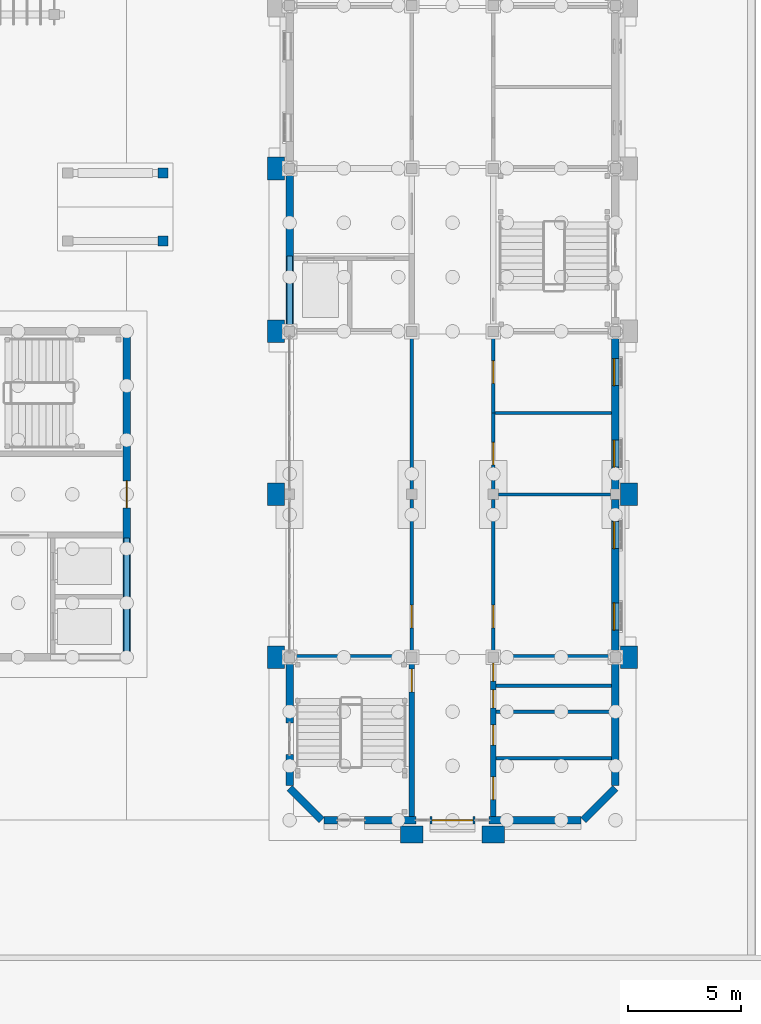
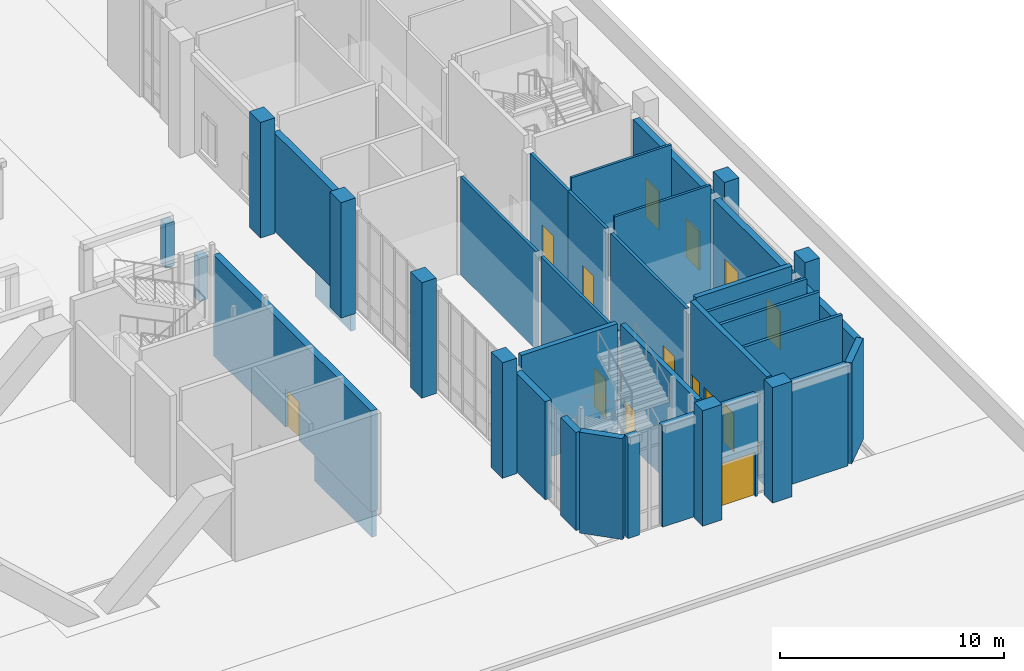
# One storey, part 42 of 84: 39 walls, 11 doors, 4 windows, 15 openings.
"""IFC4 building model written with IfcOpenShell, lengths in metres."""

from ifc_helpers import new_model, si_unit, direction, frame, frame_2d, origin, place, context, subcontext, project, spatial, rectangle, extrude, material, layer, layer_set, type_object, element, fill, save


model = new_model("IFC4")

# Units and contexts
model_context = context("Model", 3, precision=1e-05, world=origin(), true_north=direction((0.0, 1.0)))
body_context = subcontext(model_context, "Body", "Model", "MODEL_VIEW")
ifc_project = project(units=[si_unit("LENGTHUNIT", "METRE"), si_unit("AREAUNIT", "SQUARE_METRE"), si_unit("VOLUMEUNIT", "CUBIC_METRE"), si_unit("PLANEANGLEUNIT", "RADIAN"), si_unit("MASSUNIT", "GRAM", prefix="KILO")], contexts=[model_context])

# Site, building, storey
site_placement = place(None, origin())
site = spatial("IfcSite", under=ifc_project, at=site_placement, CompositionType="ELEMENT")
building_placement = place(site_placement, origin())
building = spatial("IfcBuilding", under=site, at=building_placement, Name="Mazhai Court Health Centre", CompositionType="ELEMENT")
storey_placement = place(building_placement, origin())
storey = spatial("IfcBuildingStorey", under=building, at=storey_placement, Name="L00", CompositionType="ELEMENT", Elevation=0.0)

# Walls
ifc_material_1 = material(Name="Clay brick masonry", Category="masonry")
ifc_layer_1 = layer(ifc_material_1, 0.449951171875)
ifc_layer_set_1 = layer_set([ifc_layer_1], Name="BRICK GARDEN PIER 450")
wall_type_1 = type_object("IfcWallType", Name="BRICK GARDEN PIER 450", PredefinedType="SOLIDWALL", material=ifc_layer_set_1)
for number, where, z_axis, x_axis, name in (
    (1, (129.97509765625, 31.800048828125, 0.0), (0.0, 0.0, 1.0), (1.0, 0.0, 0.0), "Shelter B pier 01"),
    (2, (129.97509765625, 34.800048828125, 0.0), (0.0, 0.0, 1.0), (1.0, 0.0, 0.0), "Shelter B pier 11"),
):
    element("IfcWall", number, at=place(storey_placement, frame(where, z_axis=z_axis, x_axis=x_axis)), inside=storey, type_object=wall_type_1, Name=name, PredefinedType="SOLIDWALL", context=body_context, shape_type="SweptSolid", body=[
        extrude(rectangle(XDim=0.449951171875, YDim=0.449951171875, at=frame_2d((0.22509765625, 0.0))), origin(), (0.0, 0.0, 1.0), 2.39990234375),
    ])
ifc_material_2 = material(Name="Clay brick masonry", Category="masonry")
ifc_layer_2 = layer(ifc_material_2, 0.75)
ifc_layer_set_2 = layer_set([ifc_layer_2], Name="BRICK PIER 750")
wall_type_2 = type_object("IfcWallType", Name="BRICK PIER 750", PredefinedType="SOLIDWALL", material=ifc_layer_set_2)
for number, where, z_axis, x_axis, name in (
    (3, (135.199951171875, 12.89990234375, 0.0), (0.0, 0.0, 1.0), (0.0, 1.0, 0.0), "EP-V6-L00-A1"),
    (4, (135.199951171875, 20.10009765625, 0.0), (0.0, 0.0, 1.0), (0.0, 1.0, 0.0), "EP-V6-L00-A2"),
    (5, (135.199951171875, 27.300048828125, 0.0), (0.0, 0.0, 1.0), (0.0, 1.0, 0.0), "EP-V6-L00-A3"),
    (6, (135.199951171875, 34.5, 0.0), (0.0, 0.0, 1.0), (0.0, 1.0, 0.0), "EP-V6-L00-A4"),
    (7, (150.800048828125, 13.89990234375, 0.0), (0.0, 0.0, 1.0), (0.0, -1.0, 0.0), "EP-V6-L00-B1"),
    (8, (150.800048828125, 21.10009765625, 0.0), (0.0, 0.0, 1.0), (0.0, -1.0, 0.0), "EP-V6-L00-B2"),
    (9, (141.699951171875, 5.574951171875, 0.0), (0.0, 0.0, 1.0), (-1.0, 0.0, 0.0), "EP-V6-L00-S54"),
    (10, (145.300048828125, 5.574951171875, 0.0), (0.0, 0.0, 1.0), (-1.0, 0.0, 0.0), "EP-V6-L00-S90"),
):
    element("IfcWall", number, at=place(storey_placement, frame(where, z_axis=z_axis, x_axis=x_axis)), inside=storey, type_object=wall_type_2, Name=name, PredefinedType="SOLIDWALL", context=body_context, shape_type="SweptSolid", body=[
        extrude(rectangle(XDim=1.0, YDim=0.75, at=frame_2d((0.5, 0.0))), origin(), (0.0, 0.0, 1.0), 6.300048828125),
    ])

# Wall, opening, door
ifc_material_3 = material(Name="Clay brick masonry", Category="masonry")
ifc_layer_3 = layer(ifc_material_3, 0.330078125)
ifc_layer_set_3 = layer_set([ifc_layer_3], Name="BRICK WALL 330 EXTERNAL")
wall_type_3 = type_object("IfcWallType", Name="BRICK WALL 330 EXTERNAL", PredefinedType="SOLIDWALL", material=ifc_layer_set_3)
wall_1_placement = place(storey_placement, frame((128.60009765625, 27.635009765625, 0.0), z_axis=(0.0, 0.0, 1.0), x_axis=(0.0, -1.0, 0.0)))
wall_1 = element("IfcWall", 11, at=wall_1_placement, inside=storey, type_object=wall_type_3, Name="EW-V4-L00-E7b", PredefinedType="SOLIDWALL", context=body_context, shape_type="SweptSolid", body=[
    extrude(rectangle(XDim=14.070068359375, YDim=0.330078125, at=frame_2d((7.03515625, 0.0))), origin(), (0.0, 0.0, 1.0), 5.5),
])
opening_1_placement = place(wall_1_placement, frame((6.43505859375, 0.0, 0.0)))
opening_1 = element("IfcOpeningElement", 12, at=opening_1_placement, cuts=wall_1, Name="Opening D-L00-078", PredefinedType="OPENING", context=body_context, shape_type="SweptSolid", body=[
    extrude(rectangle(XDim=1.199951171875, YDim=2.10009765625, at=frame_2d((0.60009765625, 1.050048828125))), frame((0.0, 0.175048828125, 0.0), z_axis=(0.0, -1.0, 0.0), x_axis=(1.0, 0.0, 0.0)), (0.0, 0.0, 1.0), 0.35009765625),
])
ifc_material_4 = material(Name="Teak timber door, glazed", Category="wood")
door_type_1 = type_object("IfcDoorType", Name="DOOR FIRE EXIT 1200x2100", OperationType="SINGLE_SWING_LEFT", PredefinedType="DOOR", material=ifc_material_4)
door_1_placement = place(opening_1_placement, origin())
door_1 = element("IfcDoor", 13, at=door_1_placement, inside=storey, type_object=door_type_1, Name="L00-E07", OperationType="SINGLE_SWING_LEFT", OverallHeight=2.10009765625, OverallWidth=1.199951171875, PredefinedType="DOOR", context=body_context, shape_type="SweptSolid", body=[
    extrude(rectangle(XDim=1.199951171875, YDim=2.10009765625, at=frame_2d((0.60009765625, 1.050048828125))), frame((0.0, 0.02490234375, 0.0), z_axis=(0.0, -1.0, 0.0), x_axis=(1.0, 0.0, 0.0)), (0.0, 0.0, 1.0), 0.050048828125),
])
fill(opening_1, door_1)

# Walls
wall_2_placement = place(storey_placement, frame((135.800048828125, 7.73095703125, 0.0), z_axis=(0.0, 0.0, 1.0), x_axis=(0.0, 1.0, 0.0)))
element("IfcWall", 14, at=wall_2_placement, inside=storey, type_object=wall_type_3, Name="EW-V6-L00-A0a", PredefinedType="SOLIDWALL", context=body_context, shape_type="SweptSolid", body=[
    extrude(rectangle(XDim=1.369140625, YDim=0.330078125, at=frame_2d((0.6845703125, 0.0))), origin(), (0.0, 0.0, 1.0), 5.35009765625),
])
wall_3_placement = place(storey_placement, frame((135.800048828125, 10.5, 0.0), z_axis=(0.0, 0.0, 1.0), x_axis=(0.0, 1.0, 0.0)))
element("IfcWall", 15, at=wall_3_placement, inside=storey, type_object=wall_type_3, Name="EW-V6-L00-A0b", PredefinedType="SOLIDWALL", context=body_context, shape_type="SweptSolid", body=[
    extrude(rectangle(XDim=2.675048828125, YDim=0.330078125, at=frame_2d((1.33740234375, 0.0))), origin(), (0.0, 0.0, 1.0), 5.35009765625),
])
wall_4_placement = place(storey_placement, frame((135.800048828125, 28.02490234375, 0.0), z_axis=(0.0, 0.0, 1.0), x_axis=(0.0, 1.0, 0.0)))
element("IfcWall", 16, at=wall_4_placement, inside=storey, type_object=wall_type_3, Name="EW-V6-L00-A3", PredefinedType="SOLIDWALL", context=body_context, shape_type="SweptSolid", body=[
    extrude(rectangle(XDim=6.75, YDim=0.330078125, at=frame_2d((3.375, 0.0))), origin(), (0.0, 0.0, 1.0), 5.35009765625),
])
wall_5_placement = place(storey_placement, frame((150.199951171875, 13.175048828125, 0.0), z_axis=(0.0, 0.0, 1.0), x_axis=(0.0, -1.0, 0.0)))
element("IfcWall", 17, at=wall_5_placement, inside=storey, type_object=wall_type_3, Name="EW-V6-L00-B0", PredefinedType="SOLIDWALL", context=body_context, shape_type="SweptSolid", body=[
    extrude(rectangle(XDim=5.444091796875, YDim=0.330078125, at=frame_2d((2.72216796875, 0.0))), origin(), (0.0, 0.0, 1.0), 5.35009765625),
])

# Wall, openings, windows
wall_6_placement = place(storey_placement, frame((150.199951171875, 20.375, 0.0), z_axis=(0.0, 0.0, 1.0), x_axis=(0.0, -1.0, 0.0)))
wall_6 = element("IfcWall", 18, at=wall_6_placement, inside=storey, type_object=wall_type_3, Name="EW-V6-L00-B1p0", PredefinedType="SOLIDWALL", context=body_context, shape_type="SweptSolid", body=[
    extrude(rectangle(XDim=6.75, YDim=0.330078125, at=frame_2d((3.375, 0.0))), origin(), (0.0, 0.0, 1.0), 5.35009765625),
])
opening_2_placement = place(wall_6_placement, frame((4.574951171875, 0.0, 0.60009765625)))
opening_2 = element("IfcOpeningElement", 19, at=opening_2_placement, cuts=wall_6, Name="Opening W1", PredefinedType="OPENING", context=body_context, shape_type="SweptSolid", body=[
    extrude(rectangle(XDim=1.199951171875, YDim=2.10009765625, at=frame_2d((0.60009765625, 1.050048828125))), frame((0.0, 0.175048828125, 0.0), z_axis=(0.0, -1.0, 0.0), x_axis=(1.0, 0.0, 0.0)), (0.0, 0.0, 1.0), 0.35009765625),
])
opening_3_placement = place(wall_6_placement, frame((0.97509765625, 0.0, 0.60009765625)))
opening_3 = element("IfcOpeningElement", 20, at=opening_3_placement, cuts=wall_6, Name="Opening W1", PredefinedType="OPENING", context=body_context, shape_type="SweptSolid", body=[
    extrude(rectangle(XDim=1.199951171875, YDim=2.10009765625, at=frame_2d((0.60009765625, 1.050048828125))), frame((0.0, 0.175048828125, 0.0), z_axis=(0.0, -1.0, 0.0), x_axis=(1.0, 0.0, 0.0)), (0.0, 0.0, 1.0), 0.35009765625),
])
ifc_material_5 = material(Name="Teak timber frame, glazed", Category="wood")
window_type = type_object("IfcWindowType", Name="WINDOW CONSULTING 1200x2100", PartitioningType="SINGLE_PANEL", PredefinedType="WINDOW", material=ifc_material_5)
window_1_placement = place(opening_2_placement, origin())
window_1 = element("IfcWindow", 21, at=window_1_placement, inside=storey, type_object=window_type, Name="W1 WN-V6-L00-B10", OverallHeight=2.10009765625, OverallWidth=1.199951171875, PartitioningType="SINGLE_PANEL", PredefinedType="WINDOW", context=body_context, shape_type="SweptSolid", body=[
    extrude(rectangle(XDim=1.199951171875, YDim=2.10009765625, at=frame_2d((0.60009765625, 1.050048828125))), frame((0.0, -0.030029296875, 0.0), z_axis=(0.0, -1.0, 0.0), x_axis=(1.0, 0.0, 0.0)), (0.0, 0.0, 1.0), 0.06005859375),
])
fill(opening_2, window_1)
window_2_placement = place(opening_3_placement, origin())
window_2 = element("IfcWindow", 22, at=window_2_placement, inside=storey, type_object=window_type, Name="W1 WN-V6-L00-B11", OverallHeight=2.10009765625, OverallWidth=1.199951171875, PartitioningType="SINGLE_PANEL", PredefinedType="WINDOW", context=body_context, shape_type="SweptSolid", body=[
    extrude(rectangle(XDim=1.199951171875, YDim=2.10009765625, at=frame_2d((0.60009765625, 1.050048828125))), frame((0.0, -0.030029296875, 0.0), z_axis=(0.0, -1.0, 0.0), x_axis=(1.0, 0.0, 0.0)), (0.0, 0.0, 1.0), 0.06005859375),
])
fill(opening_3, window_2)

wall_7_placement = place(storey_placement, frame((150.199951171875, 27.574951171875, 0.0), z_axis=(0.0, 0.0, 1.0), x_axis=(0.0, -1.0, 0.0)))
wall_7 = element("IfcWall", 23, at=wall_7_placement, inside=storey, type_object=wall_type_3, Name="EW-V6-L00-B2p0", PredefinedType="SOLIDWALL", context=body_context, shape_type="SweptSolid", body=[
    extrude(rectangle(XDim=6.75, YDim=0.330078125, at=frame_2d((3.375, 0.0))), origin(), (0.0, 0.0, 1.0), 5.35009765625),
])
opening_4_placement = place(wall_7_placement, frame((4.574951171875, 0.0, 0.60009765625)))
opening_4 = element("IfcOpeningElement", 24, at=opening_4_placement, cuts=wall_7, Name="Opening W1", PredefinedType="OPENING", context=body_context, shape_type="SweptSolid", body=[
    extrude(rectangle(XDim=1.199951171875, YDim=2.10009765625, at=frame_2d((0.60009765625, 1.050048828125))), frame((0.0, 0.175048828125, 0.0), z_axis=(0.0, -1.0, 0.0), x_axis=(1.0, 0.0, 0.0)), (0.0, 0.0, 1.0), 0.35009765625),
])
opening_5_placement = place(wall_7_placement, frame((0.97509765625, 0.0, 0.60009765625)))
opening_5 = element("IfcOpeningElement", 25, at=opening_5_placement, cuts=wall_7, Name="Opening W1", PredefinedType="OPENING", context=body_context, shape_type="SweptSolid", body=[
    extrude(rectangle(XDim=1.199951171875, YDim=2.10009765625, at=frame_2d((0.60009765625, 1.050048828125))), frame((0.0, 0.175048828125, 0.0), z_axis=(0.0, -1.0, 0.0), x_axis=(1.0, 0.0, 0.0)), (0.0, 0.0, 1.0), 0.35009765625),
])
window_3_placement = place(opening_4_placement, origin())
window_3 = element("IfcWindow", 26, at=window_3_placement, inside=storey, type_object=window_type, Name="W1 WN-V6-L00-B20", OverallHeight=2.10009765625, OverallWidth=1.199951171875, PartitioningType="SINGLE_PANEL", PredefinedType="WINDOW", context=body_context, shape_type="SweptSolid", body=[
    extrude(rectangle(XDim=1.199951171875, YDim=2.10009765625, at=frame_2d((0.60009765625, 1.050048828125))), frame((0.0, -0.030029296875, 0.0), z_axis=(0.0, -1.0, 0.0), x_axis=(1.0, 0.0, 0.0)), (0.0, 0.0, 1.0), 0.06005859375),
])
fill(opening_4, window_3)
window_4_placement = place(opening_5_placement, origin())
window_4 = element("IfcWindow", 27, at=window_4_placement, inside=storey, type_object=window_type, Name="W1 WN-V6-L00-B21", OverallHeight=2.10009765625, OverallWidth=1.199951171875, PartitioningType="SINGLE_PANEL", PredefinedType="WINDOW", context=body_context, shape_type="SweptSolid", body=[
    extrude(rectangle(XDim=1.199951171875, YDim=2.10009765625, at=frame_2d((0.60009765625, 1.050048828125))), frame((0.0, -0.030029296875, 0.0), z_axis=(0.0, -1.0, 0.0), x_axis=(1.0, 0.0, 0.0)), (0.0, 0.0, 1.0), 0.06005859375),
])
fill(opening_5, window_4)

# Walls
wall_8_placement = place(storey_placement, frame((137.919921875, 6.199951171875, 0.0), z_axis=(0.0, 0.0, 1.0), x_axis=(-1.0, 0.0, 0.0)))
element("IfcWall", 28, at=wall_8_placement, inside=storey, type_object=wall_type_3, Name="EW-V6-L00-Sp0", PredefinedType="SOLIDWALL", context=body_context, shape_type="SweptSolid", body=[
    extrude(rectangle(XDim=0.5888671875, YDim=0.330078125, at=frame_2d((0.29443359375, 0.0))), origin(), (0.0, 0.0, 1.0), 5.5),
])
wall_9_placement = place(storey_placement, frame((141.3798828125, 6.199951171875, 0.0), z_axis=(0.0, 0.0, 1.0), x_axis=(-1.0, 0.0, 0.0)))
element("IfcWall", 29, at=wall_9_placement, inside=storey, type_object=wall_type_3, Name="EW-V6-L00-Sp1", PredefinedType="SOLIDWALL", context=body_context, shape_type="SweptSolid", body=[
    extrude(rectangle(XDim=2.259765625, YDim=0.330078125, at=frame_2d((1.1298828125, 0.0))), origin(), (0.0, 0.0, 1.0), 5.5),
])

# Wall, opening, door
wall_10_placement = place(storey_placement, frame((144.0, 6.199951171875, 0.0), z_axis=(0.0, 0.0, 1.0), x_axis=(-1.0, 0.0, 0.0)))
wall_10 = element("IfcWall", 30, at=wall_10_placement, inside=storey, type_object=wall_type_3, Name="EW-V6-L00-Sp2", PredefinedType="SOLIDWALL", context=body_context, shape_type="SweptSolid", body=[
    extrude(rectangle(XDim=2.0, YDim=0.330078125, at=frame_2d((1.0, 0.0))), origin(), (0.0, 0.0, 1.0), 5.5),
])
opening_6_placement = place(wall_10_placement, frame((0.10009765625, 0.0, 0.0)))
opening_6 = element("IfcOpeningElement", 31, at=opening_6_placement, cuts=wall_10, Name="Opening D-L00-088", PredefinedType="OPENING", context=body_context, shape_type="SweptSolid", body=[
    extrude(rectangle(XDim=1.800048828125, YDim=2.39990234375, at=frame_2d((0.89990234375, 1.199951171875))), frame((0.0, 0.175048828125, 0.0), z_axis=(0.0, -1.0, 0.0), x_axis=(1.0, 0.0, 0.0)), (0.0, 0.0, 1.0), 0.35009765625),
])
ifc_material_6 = material(Name="Teak timber door, glazed", Category="wood")
door_type_2 = type_object("IfcDoorType", Name="DOOR ENTRANCE DOUBLE 1800x2400", OperationType="DOUBLE_DOOR_SINGLE_SWING", PredefinedType="DOOR", material=ifc_material_6)
door_2_placement = place(opening_6_placement, origin())
door_2 = element("IfcDoor", 32, at=door_2_placement, inside=storey, type_object=door_type_2, Name="L00-E09", OperationType="DOUBLE_DOOR_SINGLE_SWING", OverallHeight=2.39990234375, OverallWidth=1.800048828125, PredefinedType="DOOR", context=body_context, shape_type="SweptSolid", body=[
    extrude(rectangle(XDim=1.800048828125, YDim=2.39990234375, at=frame_2d((0.89990234375, 1.199951171875))), frame((0.0, 0.02490234375, 0.0), z_axis=(0.0, -1.0, 0.0), x_axis=(1.0, 0.0, 0.0)), (0.0, 0.0, 1.0), 0.050048828125),
])
fill(opening_6, door_2)

# Walls
wall_11_placement = place(storey_placement, frame((148.6689453125, 6.199951171875, 0.0), z_axis=(0.0, 0.0, 1.0), x_axis=(-1.0, 0.0, 0.0)))
element("IfcWall", 33, at=wall_11_placement, inside=storey, type_object=wall_type_3, Name="EW-V6-L00-Sp3", PredefinedType="SOLIDWALL", context=body_context, shape_type="SweptSolid", body=[
    extrude(rectangle(XDim=4.048828125, YDim=0.330078125, at=frame_2d((2.0244140625, 0.0))), origin(), (0.0, 0.0, 1.0), 5.5),
])
for number, where, z_axis, x_axis, name in (
    (34, (135.800048828125, 7.614013671875, 0.0), (0.0, 0.0, 1.0), (0.707106781187, -0.707106781187, 0.0), "EW-V6-L00-CHA"),
    (35, (150.199951171875, 7.614013671875, 0.0), (0.0, 0.0, 1.0), (-0.707106781187, -0.707106781187, 0.0), "EW-V6-L00-CHB"),
):
    element("IfcWall", number, at=place(storey_placement, frame(where, z_axis=z_axis, x_axis=x_axis)), inside=storey, type_object=wall_type_3, Name=name, PredefinedType="SOLIDWALL", context=body_context, shape_type="SweptSolid", body=[
        extrude(rectangle(XDim=1.999755859375, YDim=0.330078125, at=frame_2d((1.0, 0.0))), origin(), (0.0, 0.0, 1.0), 5.5),
    ])
ifc_material_7 = material(Name="Gypsum plasterboard partition")
ifc_layer_4 = layer(ifc_material_7, 0.125)
ifc_layer_set_4 = layer_set([ifc_layer_4], Name="PARTITION 125 STUD EI30")
wall_type_4 = type_object("IfcWallType", Name="PARTITION 125 STUD EI30", PredefinedType="PARTITIONING", material=ifc_layer_set_4)
wall_12_placement = place(storey_placement, frame((149.97509765625, 20.60009765625, 0.0), z_axis=(0.0, 0.0, 1.0), x_axis=(-1.0, 0.0, 0.0)))
element("IfcWall", 36, at=wall_12_placement, inside=storey, type_object=wall_type_4, Name="wall-V6-L00-B0-cross-1a", PredefinedType="PARTITIONING", context=body_context, shape_type="SweptSolid", body=[
    extrude(rectangle(XDim=4.9501953125, YDim=0.125, at=frame_2d((2.47509765625, 0.0))), origin(), (0.0, 0.0, 1.0), 6.050048828125),
])
wall_13_placement = place(storey_placement, frame((150.034912109375, 24.199951171875, 0.0), z_axis=(0.0, 0.0, 1.0), x_axis=(-1.0, 0.0, 0.0)))
element("IfcWall", 37, at=wall_13_placement, inside=storey, type_object=wall_type_4, Name="wall-V6-L00-B0-cross-2a", PredefinedType="PARTITIONING", context=body_context, shape_type="SweptSolid", body=[
    extrude(rectangle(XDim=5.159912109375, YDim=0.125, at=frame_2d((2.580078125, 0.0))), origin(), (0.0, 0.0, 1.0), 6.050048828125),
])

# Wall, opening, door
ifc_material_8 = material(Name="Gypsum plasterboard partition")
ifc_layer_5 = layer(ifc_material_8, 0.14990234375)
ifc_layer_set_5 = layer_set([ifc_layer_5], Name="PARTITION 150 CORRIDOR EI60")
wall_type_5 = type_object("IfcWallType", Name="PARTITION 150 CORRIDOR EI60", PredefinedType="PARTITIONING", material=ifc_layer_set_5)
wall_14_placement = place(storey_placement, frame((141.199951171875, 13.625, 0.0), z_axis=(0.0, 0.0, 1.0), x_axis=(0.0, 1.0, 0.0)))
wall_14 = element("IfcWall", 38, at=wall_14_placement, inside=storey, type_object=wall_type_5, Name="wall-V6-L00-A0-corr-0a", PredefinedType="PARTITIONING", context=body_context, shape_type="SweptSolid", body=[
    extrude(rectangle(XDim=6.75, YDim=0.14990234375, at=frame_2d((3.375, 0.0))), origin(), (0.0, 0.0, 1.0), 5.35009765625),
])
opening_7_placement = place(wall_14_placement, frame((1.074951171875, 0.0, 0.0)))
opening_7 = element("IfcOpeningElement", 39, at=opening_7_placement, cuts=wall_14, Name="Opening D-L00-081", PredefinedType="OPENING", context=body_context, shape_type="SweptSolid", body=[
    extrude(rectangle(XDim=1.0, YDim=2.10009765625, at=frame_2d((0.5, 1.050048828125))), frame((0.0, 0.0849609375, 0.0), z_axis=(0.0, -1.0, 0.0), x_axis=(1.0, 0.0, 0.0)), (0.0, 0.0, 1.0), 0.169921875),
])
ifc_material_9 = material(Name="Hardwood door leaf", Category="wood")
door_type_3 = type_object("IfcDoorType", Name="DOOR 1000x2100 FD30S SINGLE", OperationType="NOTDEFINED", PredefinedType="DOOR", material=ifc_material_9)
door_3_placement = place(opening_7_placement, origin())
door_3 = element("IfcDoor", 40, at=door_3_placement, inside=storey, type_object=door_type_3, Name="door-V6-L00-A0-health-education-hall", OperationType="SINGLE_SWING_LEFT", OverallHeight=2.10009765625, OverallWidth=1.0, PredefinedType="DOOR", context=body_context, shape_type="SweptSolid", body=[
    extrude(rectangle(XDim=1.0, YDim=2.10009765625, at=frame_2d((0.5, 1.050048828125))), frame((0.0, 0.02490234375, 0.0), z_axis=(0.0, -1.0, 0.0), x_axis=(1.0, 0.0, 0.0)), (0.0, 0.0, 1.0), 0.050048828125),
])
fill(opening_7, door_3)

# Wall
wall_15_placement = place(storey_placement, frame((141.199951171875, 20.824951171875, 0.0), z_axis=(0.0, 0.0, 1.0), x_axis=(0.0, 1.0, 0.0)))
element("IfcWall", 41, at=wall_15_placement, inside=storey, type_object=wall_type_5, Name="wall-V6-L00-A0-corr-0b", PredefinedType="PARTITIONING", context=body_context, shape_type="SweptSolid", body=[
    extrude(rectangle(XDim=6.75, YDim=0.14990234375, at=frame_2d((3.375, 0.0))), origin(), (0.0, 0.0, 1.0), 5.35009765625),
])

# Wall, opening, door
wall_16_placement = place(storey_placement, frame((144.800048828125, 20.375, 0.0), z_axis=(0.0, 0.0, 1.0), x_axis=(0.0, -1.0, 0.0)))
wall_16 = element("IfcWall", 42, at=wall_16_placement, inside=storey, type_object=wall_type_5, Name="wall-V6-L00-B0-corr-0a", PredefinedType="PARTITIONING", context=body_context, shape_type="SweptSolid", body=[
    extrude(rectangle(XDim=6.75, YDim=0.14990234375, at=frame_2d((3.375, 0.0))), origin(), (0.0, 0.0, 1.0), 5.35009765625),
])
opening_8_placement = place(wall_16_placement, frame((4.675048828125, 0.0, 0.0)))
opening_8 = element("IfcOpeningElement", 43, at=opening_8_placement, cuts=wall_16, Name="Opening D-L00-094", PredefinedType="OPENING", context=body_context, shape_type="SweptSolid", body=[
    extrude(rectangle(XDim=1.0, YDim=2.10009765625, at=frame_2d((0.5, 1.050048828125))), frame((0.0, 0.0849609375, 0.0), z_axis=(0.0, -1.0, 0.0), x_axis=(1.0, 0.0, 0.0)), (0.0, 0.0, 1.0), 0.169921875),
])
door_4_placement = place(opening_8_placement, origin())
door_4 = element("IfcDoor", 44, at=door_4_placement, inside=storey, type_object=door_type_3, Name="door-V6-L00-B0-cafe", OperationType="SINGLE_SWING_RIGHT", OverallHeight=2.10009765625, OverallWidth=1.0, PredefinedType="DOOR", context=body_context, shape_type="SweptSolid", body=[
    extrude(rectangle(XDim=1.0, YDim=2.10009765625, at=frame_2d((0.5, 1.050048828125))), frame((0.0, 0.02490234375, 0.0), z_axis=(0.0, -1.0, 0.0), x_axis=(1.0, 0.0, 0.0)), (0.0, 0.0, 1.0), 0.050048828125),
])
fill(opening_8, door_4)

wall_17_placement = place(storey_placement, frame((144.800048828125, 24.199951171875, 0.0), z_axis=(0.0, 0.0, 1.0), x_axis=(0.0, -1.0, 0.0)))
wall_17 = element("IfcWall", 45, at=wall_17_placement, inside=storey, type_object=wall_type_5, Name="wall-V6-L00-B0-corr-1a", PredefinedType="PARTITIONING", context=body_context, shape_type="SweptSolid", body=[
    extrude(rectangle(XDim=3.375, YDim=0.14990234375, at=frame_2d((1.6875, 0.0))), origin(), (0.0, 0.0, 1.0), 5.35009765625),
])
opening_9_placement = place(wall_17_placement, frame((1.300048828125, 0.0, 0.0)))
opening_9 = element("IfcOpeningElement", 46, at=opening_9_placement, cuts=wall_17, Name="Opening D-L00-095", PredefinedType="OPENING", context=body_context, shape_type="SweptSolid", body=[
    extrude(rectangle(XDim=1.0, YDim=2.10009765625, at=frame_2d((0.5, 1.050048828125))), frame((0.0, 0.0849609375, 0.0), z_axis=(0.0, -1.0, 0.0), x_axis=(1.0, 0.0, 0.0)), (0.0, 0.0, 1.0), 0.169921875),
])
door_5_placement = place(opening_9_placement, origin())
door_5 = element("IfcDoor", 47, at=door_5_placement, inside=storey, type_object=door_type_3, Name="door-V6-L00-B0-cafe-kitchen", OperationType="SINGLE_SWING_RIGHT", OverallHeight=2.10009765625, OverallWidth=1.0, PredefinedType="DOOR", context=body_context, shape_type="SweptSolid", body=[
    extrude(rectangle(XDim=1.0, YDim=2.10009765625, at=frame_2d((0.5, 1.050048828125))), frame((0.0, 0.02490234375, 0.0), z_axis=(0.0, -1.0, 0.0), x_axis=(1.0, 0.0, 0.0)), (0.0, 0.0, 1.0), 0.050048828125),
])
fill(opening_9, door_5)

wall_18_placement = place(storey_placement, frame((144.800048828125, 27.574951171875, 0.0), z_axis=(0.0, 0.0, 1.0), x_axis=(0.0, -1.0, 0.0)))
wall_18 = element("IfcWall", 48, at=wall_18_placement, inside=storey, type_object=wall_type_5, Name="wall-V6-L00-B0-corr-2a", PredefinedType="PARTITIONING", context=body_context, shape_type="SweptSolid", body=[
    extrude(rectangle(XDim=3.375, YDim=0.14990234375, at=frame_2d((1.6875, 0.0))), origin(), (0.0, 0.0, 1.0), 5.35009765625),
])
opening_10_placement = place(wall_18_placement, frame((1.074951171875, 0.0, 0.0)))
opening_10 = element("IfcOpeningElement", 49, at=opening_10_placement, cuts=wall_18, Name="Opening D-L00-096", PredefinedType="OPENING", context=body_context, shape_type="SweptSolid", body=[
    extrude(rectangle(XDim=1.0, YDim=2.10009765625, at=frame_2d((0.5, 1.050048828125))), frame((0.0, 0.0849609375, 0.0), z_axis=(0.0, -1.0, 0.0), x_axis=(1.0, 0.0, 0.0)), (0.0, 0.0, 1.0), 0.169921875),
])
door_6_placement = place(opening_10_placement, origin())
door_6 = element("IfcDoor", 50, at=door_6_placement, inside=storey, type_object=door_type_3, Name="door-V6-L00-B0-health-shop", OperationType="SINGLE_SWING_LEFT", OverallHeight=2.10009765625, OverallWidth=1.0, PredefinedType="DOOR", context=body_context, shape_type="SweptSolid", body=[
    extrude(rectangle(XDim=1.0, YDim=2.10009765625, at=frame_2d((0.5, 1.050048828125))), frame((0.0, 0.02490234375, 0.0), z_axis=(0.0, -1.0, 0.0), x_axis=(1.0, 0.0, 0.0)), (0.0, 0.0, 1.0), 0.050048828125),
])
fill(opening_10, door_6)

# Wall
ifc_material_10 = material(Name="Concrete M40", Category="concrete")
ifc_layer_6 = layer(ifc_material_10, 0.25)
ifc_layer_set_6 = layer_set([ifc_layer_6], Name="RC CORE WALL 250 M40")
wall_type_6 = type_object("IfcWallType", Name="RC CORE WALL 250 M40", PredefinedType="SHEAR", material=ifc_layer_set_6)
wall_19_placement = place(storey_placement, frame((128.60009765625, 13.56494140625, -1.39990234375), z_axis=(0.0, 0.0, 1.0), x_axis=(0.0, 1.0, 0.0)))
element("IfcWall", 51, at=wall_19_placement, inside=storey, type_object=wall_type_6, Name="core-C7-w-pit-end", PredefinedType="SHEAR", context=body_context, shape_type="SweptSolid", body=[
    extrude(rectangle(XDim=5.110107421875, YDim=0.25, at=frame_2d((2.55517578125, 0.0))), origin(), (0.0, 0.0, 1.0), 1.39990234375),
])

# Wall, opening, door
wall_20_placement = place(storey_placement, frame((141.199951171875, 6.364990234375, 0.0), z_axis=(0.0, 0.0, 1.0), x_axis=(0.0, 1.0, 0.0)))
wall_20 = element("IfcWall", 52, at=wall_20_placement, inside=storey, type_object=wall_type_6, Name="core-C8-w-stair-corr-L00", PredefinedType="SHEAR", context=body_context, shape_type="SweptSolid", body=[
    extrude(rectangle(XDim=6.81005859375, YDim=0.25, at=frame_2d((3.405029296875, 0.0))), origin(), (0.0, 0.0, 1.0), 6.050048828125),
])
opening_11_placement = place(wall_20_placement, frame((5.510009765625, 0.0, 0.0)))
opening_11 = element("IfcOpeningElement", 53, at=opening_11_placement, cuts=wall_20, Name="Opening D-L00-080", PredefinedType="OPENING", context=body_context, shape_type="SweptSolid", body=[
    extrude(rectangle(XDim=1.0, YDim=2.10009765625, at=frame_2d((0.5, 1.050048828125))), frame((0.0, 0.135009765625, 0.0), z_axis=(0.0, -1.0, 0.0), x_axis=(1.0, 0.0, 0.0)), (0.0, 0.0, 1.0), 0.27001953125),
])
ifc_material_11 = material(Name="Steel fire door leaf", Category="steel")
door_type_4 = type_object("IfcDoorType", Name="FD120S STAIR DOOR 1000x2100", OperationType="SINGLE_SWING_LEFT", PredefinedType="DOOR", material=ifc_material_11)
door_7_placement = place(opening_11_placement, origin())
door_7 = element("IfcDoor", 54, at=door_7_placement, inside=storey, type_object=door_type_4, Name="Stair 8 door L00", OperationType="SINGLE_SWING_RIGHT", OverallHeight=2.10009765625, OverallWidth=1.0, PredefinedType="DOOR", context=body_context, shape_type="SweptSolid", body=[
    extrude(rectangle(XDim=1.0, YDim=2.10009765625, at=frame_2d((0.5, 1.050048828125))), frame((0.0, 0.02490234375, 0.0), z_axis=(0.0, -1.0, 0.0), x_axis=(1.0, 0.0, 0.0)), (0.0, 0.0, 1.0), 0.050048828125),
])
fill(opening_11, door_7)

# Wall
wall_21_placement = place(storey_placement, frame((136.02490234375, 13.39990234375, 0.0), z_axis=(0.0, 0.0, 1.0), x_axis=(1.0, 0.0, 0.0)))
element("IfcWall", 55, at=wall_21_placement, inside=storey, type_object=wall_type_6, Name="core-C8-w-stair-line0-L00", PredefinedType="SHEAR", context=body_context, shape_type="SweptSolid", body=[
    extrude(rectangle(XDim=4.9501953125, YDim=0.25, at=frame_2d((2.47509765625, 0.0))), origin(), (0.0, 0.0, 1.0), 6.050048828125),
])

# Wall, openings, doors
wall_22_placement = place(storey_placement, frame((144.800048828125, 6.364990234375, 0.0), z_axis=(0.0, 0.0, 1.0), x_axis=(0.0, 1.0, 0.0)))
wall_22 = element("IfcWall", 56, at=wall_22_placement, inside=storey, type_object=wall_type_6, Name="core-C8-w-other-corr-L00", PredefinedType="SHEAR", context=body_context, shape_type="SweptSolid", body=[
    extrude(rectangle(XDim=6.81005859375, YDim=0.25, at=frame_2d((3.405029296875, 0.0))), origin(), (0.0, 0.0, 1.0), 6.050048828125),
])
opening_12_placement = place(wall_22_placement, frame((0.75, 0.0, 0.0)))
opening_12 = element("IfcOpeningElement", 57, at=opening_12_placement, cuts=wall_22, Name="Opening D-L00-090", PredefinedType="OPENING", context=body_context, shape_type="SweptSolid", body=[
    extrude(rectangle(XDim=1.0, YDim=2.10009765625, at=frame_2d((0.5, 1.050048828125))), frame((0.0, 0.135009765625, 0.0), z_axis=(0.0, -1.0, 0.0), x_axis=(1.0, 0.0, 0.0)), (0.0, 0.0, 1.0), 0.27001953125),
])
opening_13_placement = place(wall_22_placement, frame((3.14990234375, 0.0, 0.0)))
opening_13 = element("IfcOpeningElement", 58, at=opening_13_placement, cuts=wall_22, Name="Opening D-L00-091", PredefinedType="OPENING", context=body_context, shape_type="SweptSolid", body=[
    extrude(rectangle(XDim=0.89990234375, YDim=2.10009765625, at=frame_2d((0.449951171875, 1.050048828125))), frame((0.0, 0.135009765625, 0.0), z_axis=(0.0, -1.0, 0.0), x_axis=(1.0, 0.0, 0.0)), (0.0, 0.0, 1.0), 0.27001953125),
])
opening_14_placement = place(wall_22_placement, frame((4.800048828125, 0.0, 0.0)))
opening_14 = element("IfcOpeningElement", 59, at=opening_14_placement, cuts=wall_22, Name="Opening D-L00-092", PredefinedType="OPENING", context=body_context, shape_type="SweptSolid", body=[
    extrude(rectangle(XDim=0.800048828125, YDim=2.10009765625, at=frame_2d((0.39990234375, 1.050048828125))), frame((0.0, 0.135009765625, 0.0), z_axis=(0.0, -1.0, 0.0), x_axis=(1.0, 0.0, 0.0)), (0.0, 0.0, 1.0), 0.27001953125),
])
opening_15_placement = place(wall_22_placement, frame((5.97998046875, 0.0, 0.0)))
opening_15 = element("IfcOpeningElement", 60, at=opening_15_placement, cuts=wall_22, Name="Opening D-L00-093", PredefinedType="OPENING", context=body_context, shape_type="SweptSolid", body=[
    extrude(rectangle(XDim=0.800048828125, YDim=2.10009765625, at=frame_2d((0.39990234375, 1.050048828125))), frame((0.0, 0.135009765625, 0.0), z_axis=(0.0, -1.0, 0.0), x_axis=(1.0, 0.0, 0.0)), (0.0, 0.0, 1.0), 0.27001953125),
])
ifc_material_12 = material(Name="Timber door leaf", Category="wood")
door_type_5 = type_object("IfcDoorType", Name="ACCESSIBLE WC DOOR 1000x2100", OperationType="SINGLE_SWING_RIGHT", PredefinedType="DOOR", material=ifc_material_12)
door_8_placement = place(opening_12_placement, origin())
door_8 = element("IfcDoor", 61, at=door_8_placement, inside=storey, type_object=door_type_5, Name="Accessible WC door L00", OperationType="SINGLE_SWING_LEFT", OverallHeight=2.10009765625, OverallWidth=1.0, PredefinedType="DOOR", context=body_context, shape_type="SweptSolid", body=[
    extrude(rectangle(XDim=1.0, YDim=2.10009765625, at=frame_2d((0.5, 1.050048828125))), frame((0.0, 0.02490234375, 0.0), z_axis=(0.0, -1.0, 0.0), x_axis=(1.0, 0.0, 0.0)), (0.0, 0.0, 1.0), 0.050048828125),
])
fill(opening_12, door_8)
ifc_material_13 = material(Name="Timber door leaf", Category="wood")
door_type_6 = type_object("IfcDoorType", Name="CLEANER STORE DOOR 800x2100", OperationType="SINGLE_SWING_LEFT", PredefinedType="DOOR", material=ifc_material_13)
door_9_placement = place(opening_14_placement, origin())
door_9 = element("IfcDoor", 62, at=door_9_placement, inside=storey, type_object=door_type_6, Name="Cleaner door L00", OperationType="SINGLE_SWING_LEFT", OverallHeight=2.10009765625, OverallWidth=0.800048828125, PredefinedType="DOOR", context=body_context, shape_type="SweptSolid", body=[
    extrude(rectangle(XDim=0.800048828125, YDim=2.10009765625, at=frame_2d((0.39990234375, 1.050048828125))), frame((0.0, 0.02490234375, 0.0), z_axis=(0.0, -1.0, 0.0), x_axis=(1.0, 0.0, 0.0)), (0.0, 0.0, 1.0), 0.050048828125),
])
fill(opening_14, door_9)
ifc_material_14 = material(Name="Steel fire door leaf", Category="steel")
door_type_7 = type_object("IfcDoorType", Name="FD60S RISER DOOR 800x2100", OperationType="SINGLE_SWING_LEFT", PredefinedType="DOOR", material=ifc_material_14)
door_10_placement = place(opening_15_placement, origin())
door_10 = element("IfcDoor", 63, at=door_10_placement, inside=storey, type_object=door_type_7, Name="Riser door L00", OperationType="SINGLE_SWING_LEFT", OverallHeight=2.10009765625, OverallWidth=0.800048828125, PredefinedType="DOOR", context=body_context, shape_type="SweptSolid", body=[
    extrude(rectangle(XDim=0.800048828125, YDim=2.10009765625, at=frame_2d((0.39990234375, 1.050048828125))), frame((0.0, 0.02490234375, 0.0), z_axis=(0.0, -1.0, 0.0), x_axis=(1.0, 0.0, 0.0)), (0.0, 0.0, 1.0), 0.050048828125),
])
fill(opening_15, door_10)
ifc_material_15 = material(Name="Timber door leaf", Category="wood")
door_type_8 = type_object("IfcDoorType", Name="WC DOOR 900x2100", OperationType="SINGLE_SWING_LEFT", PredefinedType="DOOR", material=ifc_material_15)
door_11_placement = place(opening_13_placement, origin())
door_11 = element("IfcDoor", 64, at=door_11_placement, inside=storey, type_object=door_type_8, Name="WC door L00", OperationType="SINGLE_SWING_LEFT", OverallHeight=2.10009765625, OverallWidth=0.89990234375, PredefinedType="DOOR", context=body_context, shape_type="SweptSolid", body=[
    extrude(rectangle(XDim=0.89990234375, YDim=2.10009765625, at=frame_2d((0.449951171875, 1.050048828125))), frame((0.0, 0.02490234375, 0.0), z_axis=(0.0, -1.0, 0.0), x_axis=(1.0, 0.0, 0.0)), (0.0, 0.0, 1.0), 0.050048828125),
])
fill(opening_13, door_11)

# Walls
wall_23_placement = place(storey_placement, frame((145.02490234375, 13.39990234375, 0.0), z_axis=(0.0, 0.0, 1.0), x_axis=(1.0, 0.0, 0.0)))
element("IfcWall", 65, at=wall_23_placement, inside=storey, type_object=wall_type_6, Name="core-C8-w-other-line0-L00", PredefinedType="SHEAR", context=body_context, shape_type="SweptSolid", body=[
    extrude(rectangle(XDim=4.9501953125, YDim=0.25, at=frame_2d((2.47509765625, 0.0))), origin(), (0.0, 0.0, 1.0), 6.050048828125),
])
wall_24_placement = place(storey_placement, frame((135.800048828125, 27.925048828125, -1.39990234375), z_axis=(0.0, 0.0, 1.0), x_axis=(0.0, 1.0, 0.0)))
element("IfcWall", 66, at=wall_24_placement, inside=storey, type_object=wall_type_6, Name="core-C9-w-pit-facade", PredefinedType="SHEAR", context=body_context, shape_type="SweptSolid", body=[
    extrude(rectangle(XDim=3.199951171875, YDim=0.25, at=frame_2d((1.60009765625, 0.0))), origin(), (0.0, 0.0, 1.0), 1.39990234375),
])
ifc_material_16 = material(Name="Concrete M25", Category="concrete")
ifc_layer_7 = layer(ifc_material_16, 0.14990234375)
ifc_layer_set_7 = layer_set([ifc_layer_7], Name="RC SERVICE ROOM WALL 150 M25")
wall_type_7 = type_object("IfcWallType", Name="RC SERVICE ROOM WALL 150 M25", PredefinedType="PARTITIONING", material=ifc_layer_set_7)
for number, where, z_axis, x_axis, name in (
    (67, (144.925048828125, 8.93994140625, 0.0), (0.0, 0.0, 1.0), (1.0, 0.0, 0.0), "core-C8-w-room0-L00"),
    (68, (144.925048828125, 10.989990234375, 0.0), (0.0, 0.0, 1.0), (1.0, 0.0, 0.0), "core-C8-w-room1-L00"),
    (69, (144.925048828125, 12.139892578125, 0.0), (0.0, 0.0, 1.0), (1.0, 0.0, 0.0), "core-C8-w-room2-L00"),
):
    element("IfcWall", number, at=place(storey_placement, frame(where, z_axis=z_axis, x_axis=x_axis)), inside=storey, type_object=wall_type_7, Name=name, PredefinedType="PARTITIONING", context=body_context, shape_type="SweptSolid", body=[
        extrude(rectangle(XDim=5.10986328125, YDim=0.14990234375, at=frame_2d((2.554931640625, 0.0))), origin(), (0.0, 0.0, 1.0), 6.050048828125),
    ])

save(model, "model.ifc")
